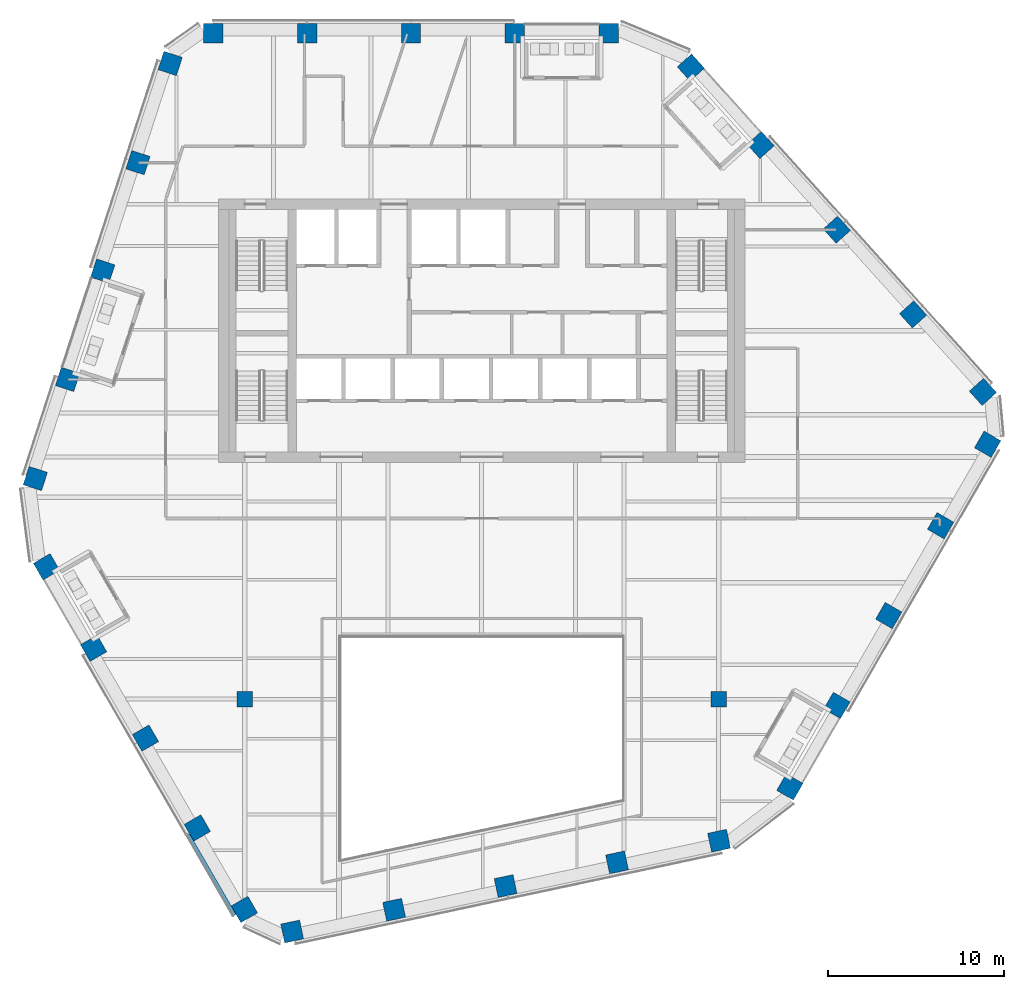
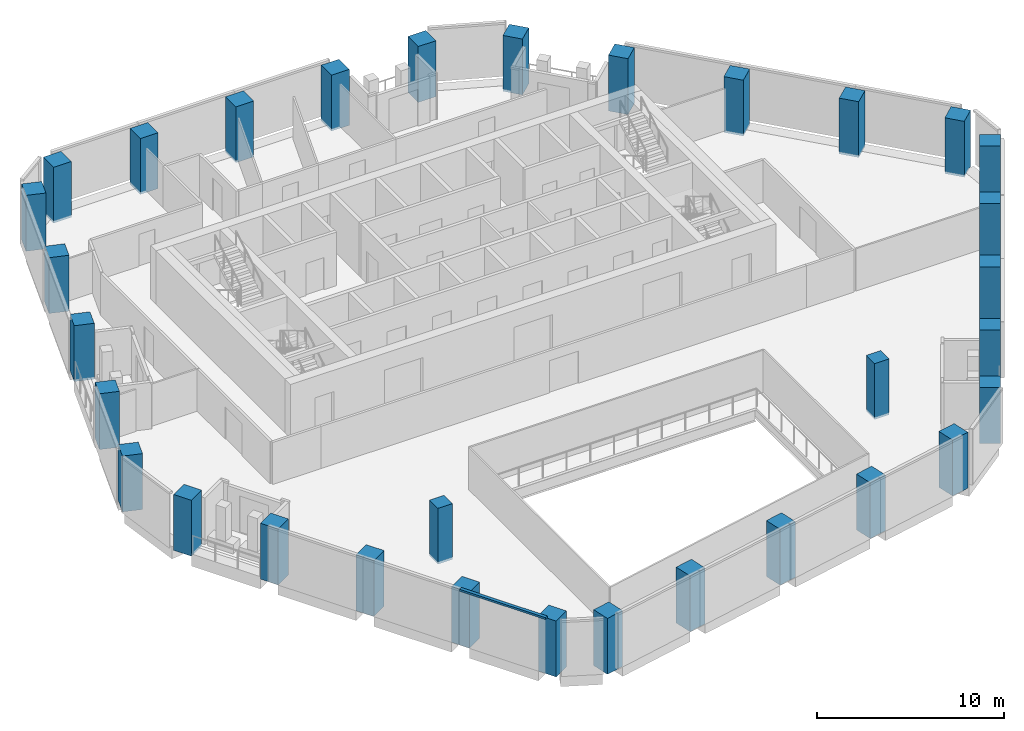
# One storey, part 1 of 24: 32 columns, 1 member, 1 element without a shape of its own.
"""IFC4 building model written with IfcOpenShell, lengths in metres."""

from ifc_helpers import new_model, si_unit, direction, frame, origin, origin_2d, place, context, subcontext, project, spatial, rectangle, extrude, material, layer, layer_set, material_profile, profile_set, type_object, element, aggregate, save


model = new_model("IFC4")

# Units and contexts
model_context = context("Model", 3, precision=1e-05, world=origin(), true_north=direction((0.0, 1.0)))
body_context = subcontext(model_context, "Body", "Model", "MODEL_VIEW")
ifc_project = project(units=[si_unit("LENGTHUNIT", "METRE"), si_unit("AREAUNIT", "SQUARE_METRE"), si_unit("VOLUMEUNIT", "CUBIC_METRE"), si_unit("PLANEANGLEUNIT", "RADIAN"), si_unit("MASSUNIT", "GRAM", prefix="KILO")], contexts=[model_context])

# Site, building, storey
site_placement = place(None, origin())
site = spatial("IfcSite", under=ifc_project, at=site_placement, CompositionType="ELEMENT")
building_placement = place(site_placement, origin())
building = spatial("IfcBuilding", under=site, at=building_placement, Name="Isthmus Gate Tower", CompositionType="ELEMENT")
storey_placement = place(building_placement, frame((0.0, 0.0, 219.949951171875)))
storey = spatial("IfcBuildingStorey", under=building, at=storey_placement, Name="L55", CompositionType="ELEMENT", Elevation=219.949951171875)

# Columns
ifc_material_1 = material(Name="Concrete f'c 50 MPa", Category="concrete")
ifc_material_profile_1 = material_profile(ifc_material_1, rectangle(XDim=0.89990234375, YDim=0.89990234375, at=origin_2d()), Name="RC 900X900")
ifc_profile_set_1 = profile_set([ifc_material_profile_1], Name="Concrete f'c 50 MPa")
column_type_1 = type_object("IfcColumnType", Name="RC INTERIOR COLUMN 900 X 900", PredefinedType="COLUMN", material=ifc_profile_set_1)
for number, where, z_axis, x_axis, name in (
    (1, (-13.5, -13.5, -0.14990234375), (0.0, 0.0, 1.0), (1.0, 0.0, 0.0), "str-icol-L55-ICB2"),
    (2, (13.5, -13.5, -0.14990234375), (0.0, 0.0, 1.0), (1.0, 0.0, 0.0), "str-icol-L55-ICD2"),
):
    element("IfcColumn", number, at=place(storey_placement, frame(where, z_axis=z_axis, x_axis=x_axis)), inside=storey, type_object=column_type_1, Name=name, PredefinedType="COLUMN", context=body_context, shape_type="SweptSolid", body=[
        extrude(rectangle(XDim=0.89990234375, YDim=0.89990234375, at=origin_2d()), origin(), (0.0, 0.0, 1.0), 3.64990234375),
    ])
ifc_material_2 = material(Name="Concrete f'c 50 MPa", Category="concrete")
ifc_material_profile_2 = material_profile(ifc_material_2, rectangle(XDim=1.10009765625, YDim=1.10009765625, at=origin_2d()), Name="RC 1100X1100")
ifc_profile_set_2 = profile_set([ifc_material_profile_2], Name="Concrete f'c 50 MPa")
column_type_2 = type_object("IfcColumnType", Name="RC TUBE COLUMN 1100 X 1100", PredefinedType="COLUMN", material=ifc_profile_set_2)
for number, where, z_axis, x_axis, name in (
    (3, (7.2412109375, 24.449951171875, -0.14990234375), (0.0, 0.0, 1.0), (-1.0, 0.0, 0.0), "str-tcol-L55-T3N0"),
    (4, (1.880615234375, 24.449951171875, -0.14990234375), (0.0, 0.0, 1.0), (-1.0, 0.0, 0.0), "str-tcol-L55-T3N1"),
    (5, (-4.030029296875, 24.449951171875, -0.14990234375), (0.0, 0.0, 1.0), (-1.0, 0.0, 0.0), "str-tcol-L55-T3N2"),
    (6, (-9.940673828125, 24.449951171875, -0.14990234375), (0.0, 0.0, 1.0), (-1.0, 0.0, 0.0), "str-tcol-L55-T3N3"),
    (7, (-15.30126953125, 24.449951171875, -0.14990234375), (0.0, 0.0, 1.0), (-1.0, 0.0, 0.0), "str-tcol-L55-T3N4"),
    (8, (-17.7509765625, 22.721923828125, -0.14990234375), (0.0, 0.0, 1.0), (-0.309016994375, -0.951056516295, 0.0), "str-tcol-L55-T3NW0"),
    (9, (-19.587158203125, 17.07080078125, -0.14990234375), (0.0, 0.0, 1.0), (-0.309016994375, -0.951056516295, 0.0), "str-tcol-L55-T3NW1"),
    (10, (-21.59326171875, 10.896728515625, -0.14990234375), (0.0, 0.0, 1.0), (-0.309016994375, -0.951056516295, 0.0), "str-tcol-L55-T3NW2"),
    (11, (-23.599365234375, 4.72265625, -0.14990234375), (0.0, 0.0, 1.0), (-0.309016994375, -0.951056516295, 0.0), "str-tcol-L55-T3NW3"),
    (12, (-25.435546875, -0.928466796875, -0.14990234375), (0.0, 0.0, 1.0), (-0.309016994375, -0.951056516295, 0.0), "str-tcol-L55-T3NW4"),
    (13, (-24.794921875, -5.9541015625, -0.14990234375), (0.0, 0.0, 1.0), (0.5, -0.866025403784, 0.0), "str-tcol-L55-T3SW0"),
    (14, (-22.114501953125, -10.596435546875, -0.14990234375), (0.0, 0.0, 1.0), (0.5, -0.866025403784, 0.0), "str-tcol-L55-T3SW1"),
    (15, (-19.1591796875, -15.715087890625, -0.14990234375), (0.0, 0.0, 1.0), (0.5, -0.866025403784, 0.0), "str-tcol-L55-T3SW2"),
    (16, (-16.2041015625, -20.833984375, -0.14990234375), (0.0, 0.0, 1.0), (0.5, -0.866025403784, 0.0), "str-tcol-L55-T3SW3"),
    (17, (-13.523681640625, -25.476318359375, -0.14990234375), (0.0, 0.0, 1.0), (0.5, -0.866025403784, 0.0), "str-tcol-L55-T3SW4"),
    (18, (-10.80224609375, -26.73388671875, -0.14990234375), (0.0, 0.0, 1.0), (0.978147600734, 0.207911690818, 0.0), "str-tcol-L55-T3S0"),
    (19, (-4.990234375, -25.498291015625, -0.14990234375), (0.0, 0.0, 1.0), (0.978147600734, 0.207911690818, 0.0), "str-tcol-L55-T3S1"),
    (20, (1.35986328125, -24.148681640625, -0.14990234375), (0.0, 0.0, 1.0), (0.978147600734, 0.207911690818, 0.0), "str-tcol-L55-T3S2"),
    (21, (7.7099609375, -22.798828125, -0.14990234375), (0.0, 0.0, 1.0), (0.978147600734, 0.207911690818, 0.0), "str-tcol-L55-T3S3"),
    (22, (13.52197265625, -21.5634765625, -0.14990234375), (0.0, 0.0, 1.0), (0.978147600734, 0.207911690818, 0.0), "str-tcol-L55-T3S4"),
    (23, (17.5537109375, -18.495849609375, -0.14990234375), (0.0, 0.0, 1.0), (0.5, 0.866025403784, 0.0), "str-tcol-L55-T3SE0"),
    (24, (20.234130859375, -13.853515625, -0.14990234375), (0.0, 0.0, 1.0), (0.5, 0.866025403784, 0.0), "str-tcol-L55-T3SE1"),
    (25, (23.189453125, -8.73486328125, -0.14990234375), (0.0, 0.0, 1.0), (0.5, 0.866025403784, 0.0), "str-tcol-L55-T3SE2"),
    (26, (26.144775390625, -3.6162109375, -0.14990234375), (0.0, 0.0, 1.0), (0.5, 0.866025403784, 0.0), "str-tcol-L55-T3SE3"),
    (27, (28.824951171875, 1.0263671875, -0.14990234375), (0.0, 0.0, 1.0), (0.5, 0.866025403784, 0.0), "str-tcol-L55-T3SE4"),
    (28, (28.55322265625, 4.011962890625, -0.14990234375), (0.0, 0.0, 1.0), (-0.669130606359, 0.743144825477, 0.0), "str-tcol-L55-T3NE0"),
    (29, (24.577392578125, 8.427490234375, -0.14990234375), (0.0, 0.0, 1.0), (-0.669130606359, 0.743144825477, 0.0), "str-tcol-L55-T3NE1"),
    (30, (20.2333984375, 13.251953125, -0.14990234375), (0.0, 0.0, 1.0), (-0.669130606359, 0.743144825477, 0.0), "str-tcol-L55-T3NE2"),
    (31, (15.8896484375, 18.076416015625, -0.14990234375), (0.0, 0.0, 1.0), (-0.669130606359, 0.743144825477, 0.0), "str-tcol-L55-T3NE3"),
    (32, (11.91357421875, 22.4921875, -0.14990234375), (0.0, 0.0, 1.0), (-0.669130606359, 0.743144825477, 0.0), "str-tcol-L55-T3NE4"),
):
    element("IfcColumn", number, at=place(storey_placement, frame(where, z_axis=z_axis, x_axis=x_axis)), inside=storey, type_object=column_type_2, Name=name, PredefinedType="COLUMN", context=body_context, shape_type="SweptSolid", body=[
        extrude(rectangle(XDim=1.10009765625, YDim=1.10009765625, at=origin_2d()), origin(), (0.0, 0.0, 1.0), 3.64990234375),
    ])

# Curtain wall, member
ifc_material_3 = material(Name="Aluminium, pale champagne anodised", Category="aluminium")
ifc_layer = layer(ifc_material_3, 0.199951171875)
ifc_layer_set = layer_set([ifc_layer], Name="CW-1 UNITISED CURTAIN WALL 200 DEEP")
curtain_wall_type = type_object("IfcCurtainWallType", Name="CW-1 UNITISED CURTAIN WALL 200 DEEP", PredefinedType="NOTDEFINED", material=ifc_layer_set)
curtain_wall_placement = place(storey_placement, origin())
curtain_wall = element("IfcCurtainWall", 33, at=curtain_wall_placement, inside=storey, type_object=curtain_wall_type, Name="CW-1 SW L55", PredefinedType="NOTDEFINED")
ifc_material_4 = material(Name="Aluminium, pale champagne anodised", Category="aluminium")
ifc_material_profile_3 = material_profile(ifc_material_4, rectangle(XDim=0.199951171875, YDim=0.1298828125, at=origin_2d()), Name="200x130")
ifc_profile_set_3 = profile_set([ifc_material_profile_3], Name="Aluminium, pale champagne anodised")
member_type = type_object("IfcMemberType", Name="CW-1 TRANSOM 200 X 130", PredefinedType="USERDEFINED", material=ifc_profile_set_3)
member_placement = place(storey_placement, frame((-16.73681640625, -21.2109375, 3.5849609375), z_axis=(0.499988262736, -0.866032180191, 0.0), x_axis=(0.866032180191, 0.499988262736, 0.0)))
member = element("IfcMember", 34, at=member_placement, type_object=member_type, Name="CW-1 transom", ObjectType="TRANSOM", PredefinedType="USERDEFINED", context=body_context, shape_type="SweptSolid", body=[
    extrude(rectangle(XDim=0.199951171875, YDim=0.1298828125, at=origin_2d()), origin(), (0.0, 0.0, 1.0), 5.300537109375),
])
aggregate(curtain_wall, [member])

save(model, "model.ifc")
